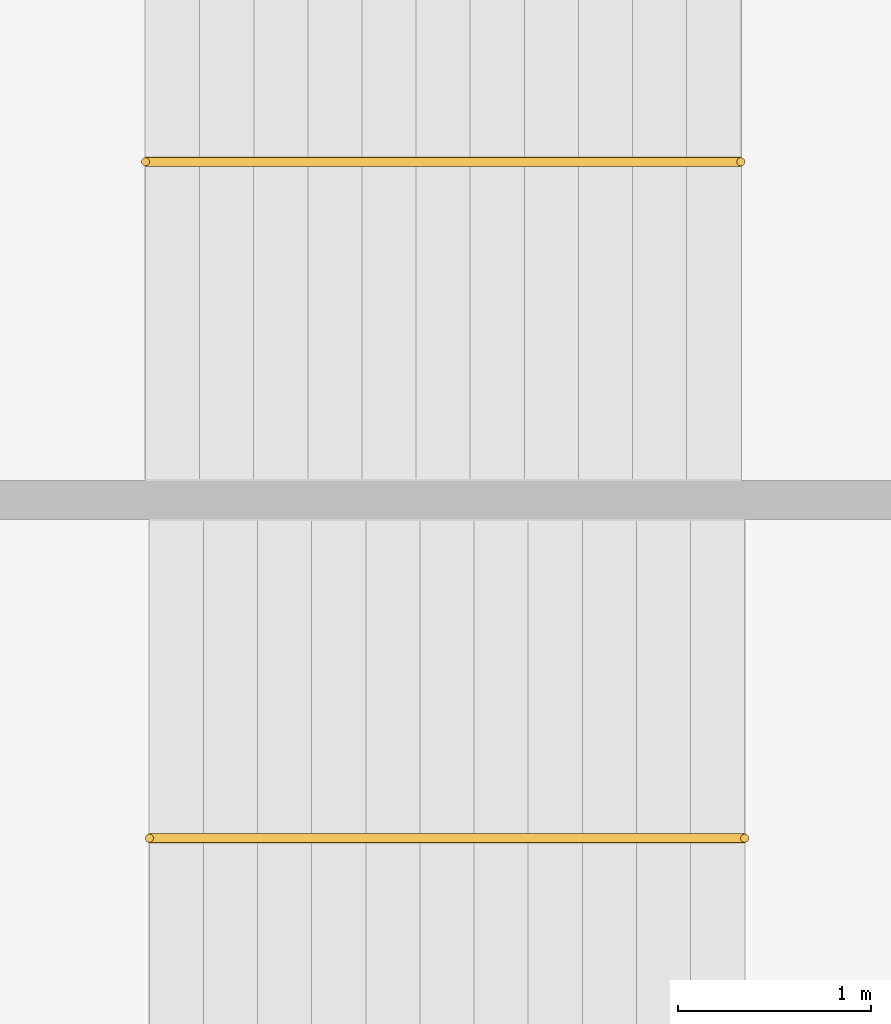
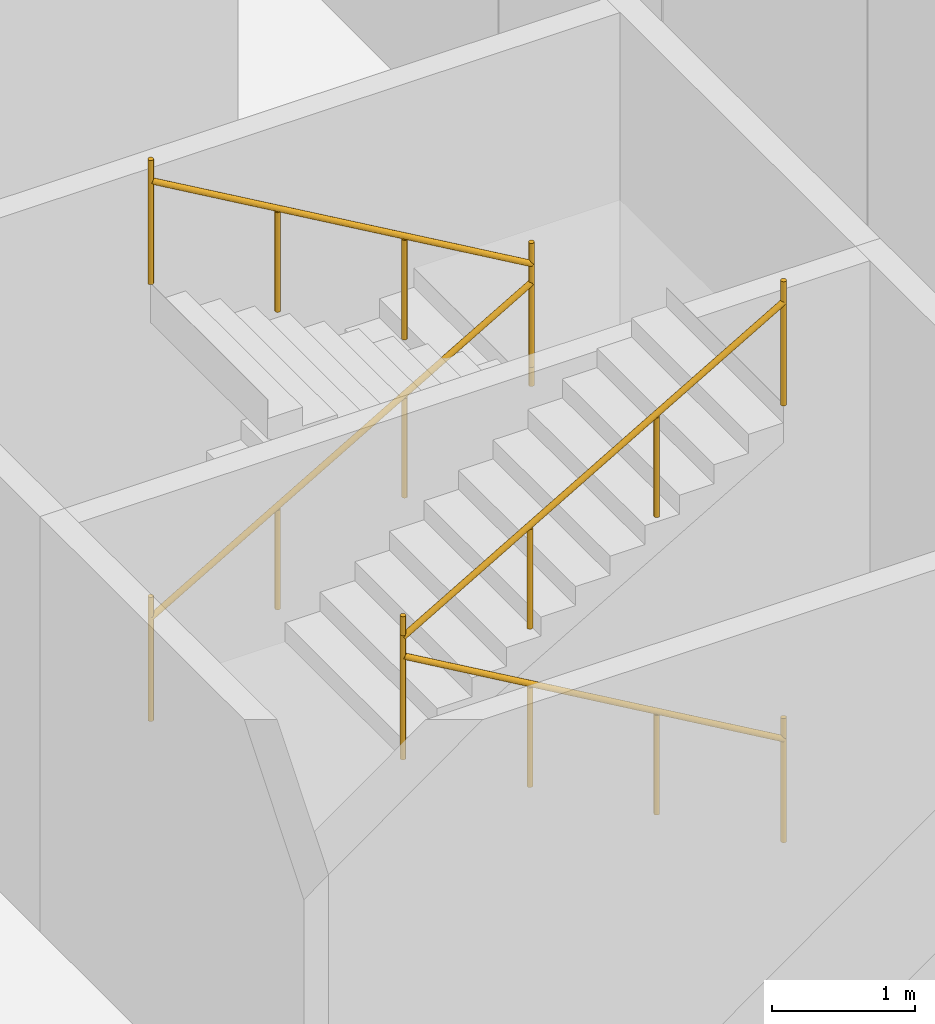
# One storey, part 4 of 4: 4 railings.
"""IFC4 building model written with IfcOpenShell, lengths in metres."""

from ifc_helpers import new_model, si_unit, direction, frame, origin, origin_2d, place, context, subcontext, project, spatial, circle, extrude, material, type_object, element, save


model = new_model("IFC4")

# Units and contexts
model_context = context("Model", 3, precision=1e-05, world=origin(), true_north=direction((0.0, 1.0)))
body_context = subcontext(model_context, "Body", "Model", "MODEL_VIEW")
ifc_project = project(units=[si_unit("LENGTHUNIT", "METRE"), si_unit("AREAUNIT", "SQUARE_METRE"), si_unit("VOLUMEUNIT", "CUBIC_METRE"), si_unit("PLANEANGLEUNIT", "RADIAN"), si_unit("MASSUNIT", "GRAM", prefix="KILO")], contexts=[model_context])

# Site, building, storey
site_placement = place(None, origin())
site = spatial("IfcSite", under=ifc_project, at=site_placement, CompositionType="ELEMENT")
building_placement = place(site_placement, origin())
building = spatial("IfcBuilding", under=site, at=building_placement, Name="Qaws Garden Tower", CompositionType="ELEMENT")
storey_placement = place(building_placement, frame((0.0, 0.0, 373.800048828125)))
storey = spatial("IfcBuildingStorey", under=building, at=storey_placement, Name="C3", CompositionType="ELEMENT", Elevation=373.800048828125)

# Railings
ifc_material = material(Name="Steel S355", Category="steel")
railing_type = type_object("IfcRailingType", Name="Stair handrail 900", PredefinedType="HANDRAIL", material=ifc_material)
railing_1_placement = place(storey_placement, frame((17.449951171875, 31.75, 0.162353515625)))
element("IfcRailing", 1, at=railing_1_placement, inside=storey, type_object=railing_type, Name="Stair 1 handrail", PredefinedType="HANDRAIL", context=body_context, shape_type="SweptSolid", body=[
    extrude(circle(Radius=0.02392578125, at=origin_2d()), frame((0.0, 0.0, 0.8759765625), z_axis=(-0.864873446163, 0.0, 0.501989962173), x_axis=(0.0, -1.0, 0.0)), (0.0, 0.0, 1.0), 3.56103515625),
    extrude(circle(Radius=0.02099609375, at=origin_2d()), origin(), (0.0, 0.0, 1.0), 1.06201171875),
    extrude(circle(Radius=0.02099609375, at=origin_2d()), frame((-1.026611328125, 0.0, 0.595947265625)), (0.0, 0.0, 1.0), 0.851806640625),
    extrude(circle(Radius=0.02099609375, at=origin_2d()), frame((-2.05322265625, 0.0, 1.191650390625)), (0.0, 0.0, 1.0), 0.851806640625),
    extrude(circle(Radius=0.02099609375, at=origin_2d()), frame((-3.079833984375, 0.0, 1.78759765625)), (0.0, 0.0, 1.0), 1.06201171875),
])
railing_2_placement = place(storey_placement, frame((14.3701171875, 31.75, 2.112548828125)))
element("IfcRailing", 2, at=railing_2_placement, inside=storey, type_object=railing_type, Name="Stair 1 handrail", PredefinedType="HANDRAIL", context=body_context, shape_type="SweptSolid", body=[
    extrude(circle(Radius=0.02392578125, at=origin_2d()), frame((0.0, 0.0, 0.8759765625), z_axis=(0.864903211148, 0.0, 0.501938676878), x_axis=(0.0, 1.0, 0.0)), (0.0, 0.0, 1.0), 3.560791015625),
    extrude(circle(Radius=0.02099609375, at=origin_2d()), origin(), (0.0, 0.0, 1.0), 1.06201171875),
    extrude(circle(Radius=0.02099609375, at=origin_2d()), frame((1.026611328125, 0.0, 0.595703125)), (0.0, 0.0, 1.0), 0.851806640625),
    extrude(circle(Radius=0.02099609375, at=origin_2d()), frame((2.05322265625, 0.0, 1.191650390625)), (0.0, 0.0, 1.0), 0.851806640625),
    extrude(circle(Radius=0.02099609375, at=origin_2d()), frame((3.079833984375, 0.0, 1.787353515625)), (0.0, 0.0, 1.0), 1.06201171875),
])
railing_3_placement = place(storey_placement, frame((14.35009765625, 35.25, 0.162353515625)))
element("IfcRailing", 3, at=railing_3_placement, inside=storey, type_object=railing_type, Name="Stair 2 handrail", PredefinedType="HANDRAIL", context=body_context, shape_type="SweptSolid", body=[
    extrude(circle(Radius=0.02392578125, at=origin_2d()), frame((0.0, 0.0, 0.8759765625), z_axis=(0.864873446163, 0.0, 0.501989962173), x_axis=(0.0, 1.0, 0.0)), (0.0, 0.0, 1.0), 3.56103515625),
    extrude(circle(Radius=0.02099609375, at=origin_2d()), origin(), (0.0, 0.0, 1.0), 1.06201171875),
    extrude(circle(Radius=0.02099609375, at=origin_2d()), frame((1.026611328125, 0.0, 0.595947265625)), (0.0, 0.0, 1.0), 0.851806640625),
    extrude(circle(Radius=0.02099609375, at=origin_2d()), frame((2.05322265625, 0.0, 1.191650390625)), (0.0, 0.0, 1.0), 0.851806640625),
    extrude(circle(Radius=0.02099609375, at=origin_2d()), frame((3.079833984375, 0.0, 1.78759765625)), (0.0, 0.0, 1.0), 1.06201171875),
])
railing_4_placement = place(storey_placement, frame((17.429931640625, 35.25, 2.112548828125)))
element("IfcRailing", 4, at=railing_4_placement, inside=storey, type_object=railing_type, Name="Stair 2 handrail", PredefinedType="HANDRAIL", context=body_context, shape_type="SweptSolid", body=[
    extrude(circle(Radius=0.02392578125, at=origin_2d()), frame((0.0, 0.0, 0.8759765625), z_axis=(-0.864903211148, 0.0, 0.501938676878), x_axis=(0.0, -1.0, 0.0)), (0.0, 0.0, 1.0), 3.560791015625),
    extrude(circle(Radius=0.02099609375, at=origin_2d()), origin(), (0.0, 0.0, 1.0), 1.06201171875),
    extrude(circle(Radius=0.02099609375, at=origin_2d()), frame((-1.026611328125, 0.0, 0.595703125)), (0.0, 0.0, 1.0), 0.851806640625),
    extrude(circle(Radius=0.02099609375, at=origin_2d()), frame((-2.05322265625, 0.0, 1.191650390625)), (0.0, 0.0, 1.0), 0.851806640625),
    extrude(circle(Radius=0.02099609375, at=origin_2d()), frame((-3.079833984375, 0.0, 1.787353515625)), (0.0, 0.0, 1.0), 1.06201171875),
])

save(model, "model.ifc")
